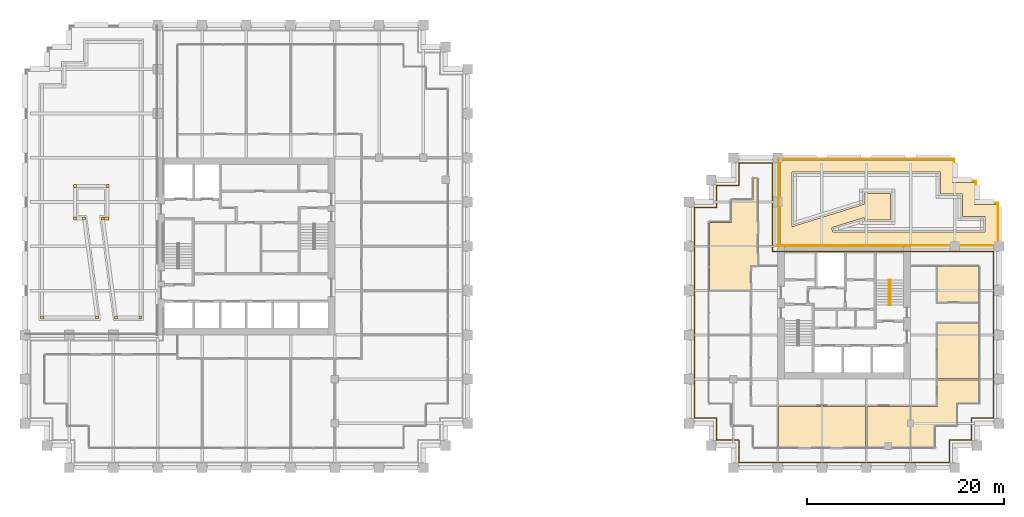
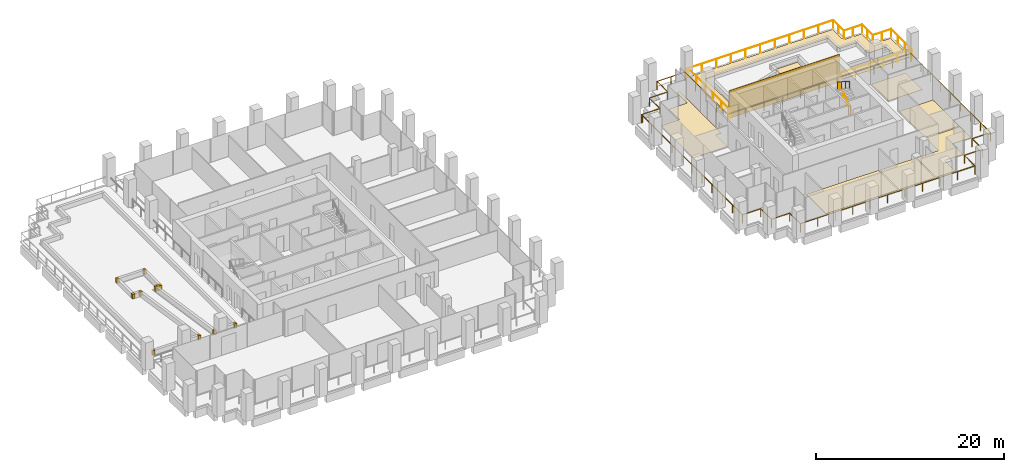
# One storey, part 51 of 52: 18 coverings, 6 railings.
"""IFC4 building model written with IfcOpenShell, lengths in metres."""

from ifc_helpers import new_model, si_unit, direction, frame, origin, origin_2d, place, context, subcontext, project, spatial, polyline, rectangle, circle, outline, extrude, source, transform, mapped, material, layer, layer_set, type_object, element, save


model = new_model("IFC4")

# Units and contexts
model_context = context("Model", 3, precision=1e-05, world=origin(), true_north=direction((0.0, 1.0)))
body_context = subcontext(model_context, "Body", "Model", "MODEL_VIEW")
ifc_project = project(units=[si_unit("LENGTHUNIT", "METRE"), si_unit("AREAUNIT", "SQUARE_METRE"), si_unit("VOLUMEUNIT", "CUBIC_METRE"), si_unit("PLANEANGLEUNIT", "RADIAN"), si_unit("MASSUNIT", "GRAM", prefix="KILO")], contexts=[model_context])

# Site, building, storey
site_placement = place(None, origin())
site = spatial("IfcSite", under=ifc_project, at=site_placement, CompositionType="ELEMENT")
building_placement = place(site_placement, origin())
building = spatial("IfcBuilding", under=site, at=building_placement, Name="Altepetl Exchange Towers", CompositionType="ELEMENT")
storey_placement = place(building_placement, frame((0.0, 0.0, 92.0)))
storey = spatial("IfcBuildingStorey", under=building, at=storey_placement, Name="L22", CompositionType="ELEMENT", Elevation=92.0)

# Coverings
ifc_material_1 = material(Name="Carpet tile")
ifc_layer_1 = layer(ifc_material_1, 0.02001953125)
ifc_layer_set_1 = layer_set([ifc_layer_1], Name="Carpet tile")
covering_type_1 = type_object("IfcCoveringType", Name="Carpet tile floor", PredefinedType="FLOORING", material=ifc_layer_set_1)
covering_1_placement = place(storey_placement, origin())
element("IfcCovering", 1, at=covering_1_placement, inside=storey, type_object=covering_type_1, Name="Huddle room floor finish B22.05", PredefinedType="FLOORING", context=body_context, shape_type="SweptSolid", body=[
    extrude(outline(polyline([(112.5625, 33.237548828125), (112.5625, 29.0625), (116.9375, 29.0625), (116.9375, 33.237548828125), (112.5625, 33.237548828125)])), origin(), (0.0, 0.0, 1.0), 0.02001953125),
])
covering_2_placement = place(storey_placement, origin())
element("IfcCovering", 2, at=covering_2_placement, inside=storey, type_object=covering_type_1, Name="Open office floor finish B22.06", PredefinedType="FLOORING", context=body_context, shape_type="SweptSolid", body=[
    extrude(outline(polyline([(117.0625, 33.237548828125), (117.0625, 29.0625), (119.4375, 29.0625), (119.4375, 31.3125), (121.6875, 31.3125), (121.6875, 33.5625), (123.9375, 33.5625), (123.9375, 35.9375), (119.762451171875, 35.9375), (119.762451171875, 33.237548828125), (117.0625, 33.237548828125)])), origin(), (0.0, 0.0, 1.0), 0.02001953125),
])
covering_3_placement = place(storey_placement, origin())
element("IfcCovering", 3, at=covering_3_placement, inside=storey, type_object=covering_type_1, Name="Research office floor finish B22.07", PredefinedType="FLOORING", context=body_context, shape_type="SweptSolid", body=[
    extrude(outline(polyline([(119.762451171875, 41.637451171875), (119.762451171875, 36.0625), (123.9375, 36.0625), (123.9375, 41.637451171875), (119.762451171875, 41.637451171875)])), origin(), (0.0, 0.0, 1.0), 0.02001953125),
])
covering_4_placement = place(storey_placement, origin())
element("IfcCovering", 4, at=covering_4_placement, inside=storey, type_object=covering_type_1, Name="Pantry floor finish B22.08", PredefinedType="FLOORING", context=body_context, shape_type="SweptSolid", body=[
    extrude(outline(polyline([(119.762451171875, 47.4375), (119.762451171875, 43.862548828125), (123.9375, 43.862548828125), (123.9375, 47.4375), (119.762451171875, 47.4375)])), origin(), (0.0, 0.0, 1.0), 0.02001953125),
])
covering_5_placement = place(storey_placement, origin())
element("IfcCovering", 5, at=covering_5_placement, inside=storey, type_object=covering_type_1, Name="Research office floor finish B22.09", PredefinedType="FLOORING", context=body_context, shape_type="SweptSolid", body=[
    extrude(outline(polyline([(101.4375, 56.4375), (101.0625, 56.4375), (101.0625, 54.1875), (98.8125, 54.1875), (98.8125, 51.9375), (96.5625, 51.9375), (96.5625, 45.0625), (100.737548828125, 45.0625), (100.737548828125, 47.5625), (101.4375, 47.5625), (101.4375, 56.4375)])), origin(), (0.0, 0.0, 1.0), 0.02001953125),
])
ifc_material_2 = material(Name="Concrete C30/37", Category="concrete")
ifc_layer_2 = layer(ifc_material_2, 0.300048828125)
ifc_layer_set_2 = layer_set([ifc_layer_2], Name="Concrete C30/37")
covering_type_2 = type_object("IfcCoveringType", Name="Planter corner block 300 concrete", PredefinedType="CLADDING", material=ifc_layer_set_2)
covering_6_placement = place(storey_placement, origin())
element("IfcCovering", 6, at=covering_6_placement, inside=storey, type_object=covering_type_2, Name="Planter corner block", PredefinedType="CLADDING", context=body_context, shape_type="SweptSolid", body=[
    extrude(outline(polyline([(28.89990234375, 42.39990234375), (28.60009765625, 42.39990234375), (28.60009765625, 42.10009765625), (28.89990234375, 42.10009765625), (28.89990234375, 42.39990234375)])), origin(), (0.0, 0.0, 1.0), 0.60009765625),
])
covering_7_placement = place(storey_placement, origin())
element("IfcCovering", 7, at=covering_7_placement, inside=storey, type_object=covering_type_2, Name="Planter corner block", PredefinedType="CLADDING", context=body_context, shape_type="SweptSolid", body=[
    extrude(outline(polyline([(34.186279296875, 42.381591796875), (34.186279296875, 42.10009765625), (34.50732421875, 42.10009765625), (34.465576171875, 42.418212890625), (34.186279296875, 42.381591796875)])), origin(), (0.0, 0.0, 1.0), 0.60009765625),
])
covering_8_placement = place(storey_placement, origin())
element("IfcCovering", 8, at=covering_8_placement, inside=storey, type_object=covering_type_2, Name="Planter corner block", PredefinedType="CLADDING", context=body_context, shape_type="SweptSolid", body=[
    extrude(outline(polyline([(33.177001953125, 52.220703125), (33.199951171875, 52.04541015625), (33.140380859375, 52.5), (32.858642578125, 52.5), (32.858642578125, 52.199951171875), (32.877197265625, 52.199951171875), (32.879638671875, 52.181640625), (33.177001953125, 52.220703125)])), origin(), (0.0, 0.0, 1.0), 0.60009765625),
])
covering_9_placement = place(storey_placement, origin())
element("IfcCovering", 9, at=covering_9_placement, inside=storey, type_object=covering_type_2, Name="Planter corner block", PredefinedType="CLADDING", context=body_context, shape_type="SweptSolid", body=[
    extrude(outline(polyline([(31.949951171875, 52.5), (31.949951171875, 52.199951171875), (32.25, 52.199951171875), (32.25, 52.5), (31.949951171875, 52.5)])), origin(), (0.0, 0.0, 1.0), 0.60009765625),
])
covering_10_placement = place(storey_placement, origin())
element("IfcCovering", 10, at=covering_10_placement, inside=storey, type_object=covering_type_2, Name="Planter corner block", PredefinedType="CLADDING", context=body_context, shape_type="SweptSolid", body=[
    extrude(outline(polyline([(32.25, 55.800048828125), (31.949951171875, 55.800048828125), (31.949951171875, 55.5), (32.25, 55.5), (32.25, 55.800048828125)])), origin(), (0.0, 0.0, 1.0), 0.60009765625),
])
covering_11_placement = place(storey_placement, origin())
element("IfcCovering", 11, at=covering_11_placement, inside=storey, type_object=covering_type_2, Name="Planter corner block", PredefinedType="CLADDING", context=body_context, shape_type="SweptSolid", body=[
    extrude(outline(polyline([(35.550048828125, 55.5), (35.550048828125, 55.800048828125), (35.25, 55.800048828125), (35.25, 55.5), (35.550048828125, 55.5)])), origin(), (0.0, 0.0, 1.0), 0.60009765625),
])
covering_12_placement = place(storey_placement, origin())
element("IfcCovering", 12, at=covering_12_placement, inside=storey, type_object=covering_type_2, Name="Planter corner block", PredefinedType="CLADDING", context=body_context, shape_type="SweptSolid", body=[
    extrude(outline(polyline([(35.09619140625, 52.199951171875), (35.550048828125, 52.199951171875), (35.550048828125, 52.5), (35.0732421875, 52.5), (35.055419921875, 52.45458984375), (35.046875, 52.420166015625), (35.041748046875, 52.38525390625), (35.0400390625, 52.35009765625), (35.041748046875, 52.314697265625), (35.046875, 52.27978515625), (35.055419921875, 52.24560546875), (35.065673828125, 52.21728515625), (35.093505859375, 52.220703125), (35.09619140625, 52.199951171875)])), origin(), (0.0, 0.0, 1.0), 0.60009765625),
])
covering_13_placement = place(storey_placement, origin())
element("IfcCovering", 13, at=covering_13_placement, inside=storey, type_object=covering_type_2, Name="Planter corner block", PredefinedType="CLADDING", context=body_context, shape_type="SweptSolid", body=[
    extrude(outline(polyline([(35.0732421875, 52.5), (34.754150390625, 52.5), (34.819091796875, 52.006103515625), (34.7958984375, 52.181640625), (35.065673828125, 52.21728515625), (35.055419921875, 52.24560546875), (35.055419921875, 52.24560546875), (35.046875, 52.27978515625), (35.046875, 52.27978515625), (35.041748046875, 52.314697265625), (35.041748046875, 52.314697265625), (35.0400390625, 52.35009765625), (35.0400390625, 52.35009765625), (35.041748046875, 52.38525390625), (35.041748046875, 52.38525390625), (35.046875, 52.420166015625), (35.046875, 52.420166015625), (35.055419921875, 52.45458984375), (35.055419921875, 52.45458984375), (35.0732421875, 52.5)])), origin(), (0.0, 0.0, 1.0), 0.60009765625),
])
covering_14_placement = place(storey_placement, origin())
element("IfcCovering", 14, at=covering_14_placement, inside=storey, type_object=covering_type_2, Name="Planter corner block", PredefinedType="CLADDING", context=body_context, shape_type="SweptSolid", body=[
    extrude(outline(polyline([(36.3818359375, 42.418212890625), (36.08447265625, 42.379150390625), (36.12109375, 42.10009765625), (36.402587890625, 42.10009765625), (36.402587890625, 42.39990234375), (36.38427734375, 42.39990234375), (36.35888671875, 42.593994140625), (36.3818359375, 42.418212890625)])), origin(), (0.0, 0.0, 1.0), 0.60009765625),
])
covering_15_placement = place(storey_placement, origin())
element("IfcCovering", 15, at=covering_15_placement, inside=storey, type_object=covering_type_2, Name="Planter corner block", PredefinedType="CLADDING", context=body_context, shape_type="SweptSolid", body=[
    extrude(outline(polyline([(38.60009765625, 42.39990234375), (38.60009765625, 42.10009765625), (38.89990234375, 42.10009765625), (38.89990234375, 42.39990234375), (38.60009765625, 42.39990234375)])), origin(), (0.0, 0.0, 1.0), 0.60009765625),
])
ifc_material_3 = material(Name="Cantera stone", Category="masonry")
ifc_layer_3 = layer(ifc_material_3, 0.030029296875)
ifc_layer_set_3 = layer_set([ifc_layer_3], Name="Cantera stone")
covering_type_3 = type_object("IfcCoveringType", Name="Polished stone floor", PredefinedType="FLOORING", material=ifc_layer_set_3)
covering_16_placement = place(storey_placement, origin())
element("IfcCovering", 16, at=covering_16_placement, inside=storey, type_object=covering_type_3, Name="Staff club floor finish B22.04", PredefinedType="FLOORING", context=body_context, shape_type="SweptSolid", body=[
    extrude(outline(polyline([(103.5625, 33.237548828125), (103.5625, 29.0625), (112.4375, 29.0625), (112.4375, 33.237548828125), (103.5625, 33.237548828125)])), origin(), (0.0, 0.0, 1.0), 0.030029296875),
])
ifc_material_4 = material(Name="Cantera limestone cladding", Category="masonry")
ifc_layer_4 = layer(ifc_material_4, 0.0400390625)
ifc_layer_set_4 = layer_set([ifc_layer_4], Name="Cantera limestone cladding")
covering_type_4 = type_object("IfcCoveringType", Name="Stone panel 40 cantera", PredefinedType="CLADDING", material=ifc_layer_set_4)
covering_17_placement = place(storey_placement, frame((110.25, 49.52001953125, 0.0), z_axis=(0.0, 0.0, 1.0), x_axis=(-1.0, 0.0, 0.0)))
element("IfcCovering", 17, at=covering_17_placement, inside=storey, type_object=covering_type_4, Name="Stone cladding panel", PredefinedType="CLADDING", context=body_context, shape_type="SweptSolid", body=[
    extrude(rectangle(XDim=13.5, YDim=0.0400390625, at=origin_2d()), origin(), (0.0, 0.0, 1.0), 3.60009765625),
])
ifc_material_5 = material(Name="Cantera limestone paving", Category="masonry")
ifc_layer_5 = layer(ifc_material_5, 0.0400390625)
ifc_layer_set_5 = layer_set([ifc_layer_5], Name="Cantera limestone paving")
covering_type_5 = type_object("IfcCoveringType", Name="Stone terrace paving 40", PredefinedType="FLOORING", material=ifc_layer_set_5)
covering_18_placement = place(storey_placement, origin())
element("IfcCovering", 18, at=covering_18_placement, inside=storey, type_object=covering_type_5, Name="Terrace paving", PredefinedType="FLOORING", context=body_context, shape_type="SweptSolid", body=[
    extrude(outline(polyline([(123.5, 56.0), (121.25, 56.0), (121.25, 58.25), (103.75, 58.25), (103.75, 49.75), (125.75, 49.75), (125.75, 53.75), (123.5, 53.75), (123.5, 56.0)]), holes=[polyline([(109.01171875, 51.400390625), (109.080810546875, 50.949951171875), (124.550048828125, 50.949951171875), (124.550048828125, 52.550048828125), (122.300048828125, 52.550048828125), (122.300048828125, 54.800048828125), (120.050048828125, 54.800048828125), (120.050048828125, 57.050048828125), (104.949951171875, 57.050048828125), (104.949951171875, 51.49169921875), (112.27490234375, 53.78369140625), (112.27490234375, 54.875), (114.97509765625, 54.875), (114.97509765625, 52.175048828125), (112.27490234375, 52.175048828125), (112.27490234375, 52.42138671875), (109.01171875, 51.400390625)])]), origin(), (0.0, 0.0, 1.0), 0.0400390625),
])

# Railings
ifc_material_6 = material(Name="Steel S355", Category="steel")
railing_type_1 = type_object("IfcRailingType", Name="Guard 1100 steel posts and rail", PredefinedType="GUARDRAIL", material=ifc_material_6)
shared_shape_1 = source(origin(), body_context, "Body", "SweptSolid", [
    extrude(circle(Radius=0.02099609375, at=origin_2d()), origin(), (0.0, 0.0, 1.0), 1.052001953125),
])
railing_1_placement = place(storey_placement, frame((95.050048828125, 53.449951171875, 0.0)))
element("IfcRailing", 19, at=railing_1_placement, inside=storey, type_object=railing_type_1, Name="Loggia guard", PredefinedType="GUARDRAIL", context=body_context, shape_type="SweptSolid", body=[
    extrude(circle(Radius=0.02392578125, at=origin_2d()), frame((0.0, 0.0, 1.076171875), z_axis=(0.0, -1.0, 0.0), x_axis=(1.0, 0.0, 0.0)), (0.0, 0.0, 1.0), 21.39990234375),
    extrude(circle(Radius=0.02392578125, at=origin_2d()), frame((0.0, -21.39990234375, 1.076171875), z_axis=(1.0, 0.0, 0.0), x_axis=(0.0, 1.0, 0.0)), (0.0, 0.0, 1.0), 2.25),
    extrude(circle(Radius=0.02392578125, at=origin_2d()), frame((2.25, -21.39990234375, 1.076171875), z_axis=(0.0, -1.0, 0.0), x_axis=(1.0, 0.0, 0.0)), (0.0, 0.0, 1.0), 2.25),
    extrude(circle(Radius=0.02392578125, at=origin_2d()), frame((2.25, -23.64990234375, 1.076171875), z_axis=(1.0, 0.0, 0.0), x_axis=(0.0, 1.0, 0.0)), (0.0, 0.0, 1.0), 2.25),
    extrude(circle(Radius=0.02392578125, at=origin_2d()), frame((4.5, -23.64990234375, 1.076171875), z_axis=(0.0, -1.0, 0.0), x_axis=(1.0, 0.0, 0.0)), (0.0, 0.0, 1.0), 2.25),
    extrude(circle(Radius=0.02392578125, at=origin_2d()), frame((4.5, -25.89990234375, 1.076171875), z_axis=(1.0, 0.0, 0.0), x_axis=(0.0, 1.0, 0.0)), (0.0, 0.0, 1.0), 21.39990234375),
    extrude(circle(Radius=0.02392578125, at=origin_2d()), frame((25.89990234375, -25.89990234375, 1.076171875), z_axis=(0.0, 1.0, 0.0), x_axis=(-1.0, 0.0, 0.0)), (0.0, 0.0, 1.0), 2.25),
    extrude(circle(Radius=0.02392578125, at=origin_2d()), frame((25.89990234375, -23.64990234375, 1.076171875), z_axis=(1.0, 0.0, 0.0), x_axis=(0.0, 1.0, 0.0)), (0.0, 0.0, 1.0), 2.25),
    extrude(circle(Radius=0.02392578125, at=origin_2d()), frame((28.14990234375, -23.64990234375, 1.076171875), z_axis=(0.0, 1.0, 0.0), x_axis=(-1.0, 0.0, 0.0)), (0.0, 0.0, 1.0), 2.25),
    extrude(circle(Radius=0.02392578125, at=origin_2d()), frame((28.14990234375, -21.39990234375, 1.076171875), z_axis=(1.0, 0.0, 0.0), x_axis=(0.0, 1.0, 0.0)), (0.0, 0.0, 1.0), 2.25),
    extrude(circle(Radius=0.02392578125, at=origin_2d()), frame((30.39990234375, -21.39990234375, 1.076171875), z_axis=(0.0, 1.0, 0.0), x_axis=(-1.0, 0.0, 0.0)), (0.0, 0.0, 1.0), 16.89990234375),
    extrude(circle(Radius=0.02392578125, at=origin_2d()), frame((30.39990234375, -4.5, 1.076171875), z_axis=(-1.0, 0.0, 0.0), x_axis=(0.0, -1.0, 0.0)), (0.0, 0.0, 1.0), 22.5),
    extrude(circle(Radius=0.02392578125, at=origin_2d()), frame((7.89990234375, -4.5, 1.076171875), z_axis=(0.0, 1.0, 0.0), x_axis=(-1.0, 0.0, 0.0)), (0.0, 0.0, 1.0), 9.0),
    extrude(circle(Radius=0.02392578125, at=origin_2d()), frame((7.89990234375, 4.5, 1.076171875), z_axis=(-1.0, 0.0, 0.0), x_axis=(0.0, -1.0, 0.0)), (0.0, 0.0, 1.0), 3.39990234375),
    extrude(circle(Radius=0.02392578125, at=origin_2d()), frame((4.5, 4.5, 1.076171875), z_axis=(0.0, -1.0, 0.0), x_axis=(1.0, 0.0, 0.0)), (0.0, 0.0, 1.0), 2.25),
    extrude(circle(Radius=0.02392578125, at=origin_2d()), frame((4.5, 2.25, 1.076171875), z_axis=(-1.0, 0.0, 0.0), x_axis=(0.0, -1.0, 0.0)), (0.0, 0.0, 1.0), 2.25),
    extrude(circle(Radius=0.02392578125, at=origin_2d()), frame((2.25, 2.25, 1.076171875), z_axis=(0.0, -1.0, 0.0), x_axis=(1.0, 0.0, 0.0)), (0.0, 0.0, 1.0), 2.25),
    extrude(circle(Radius=0.02392578125, at=origin_2d()), frame((2.25, 0.0, 1.076171875), z_axis=(-1.0, 0.0, 0.0), x_axis=(0.0, -1.0, 0.0)), (0.0, 0.0, 1.0), 2.150146484375),
    mapped(shared_shape_1, transform((0.0, 0.0, 0.0))),
    mapped(shared_shape_1, transform((0.0, -2.139892578125, 0.0))),
    mapped(shared_shape_1, transform((0.0, -4.280029296875, 0.0))),
    mapped(shared_shape_1, transform((0.0, -6.419921875, 0.0))),
    mapped(shared_shape_1, transform((0.0, -8.56005859375, 0.0))),
    mapped(shared_shape_1, transform((0.0, -10.699951171875, 0.0))),
    mapped(shared_shape_1, transform((0.0, -12.83984375, 0.0))),
    mapped(shared_shape_1, transform((0.0, -14.97998046875, 0.0))),
    mapped(shared_shape_1, transform((0.0, -17.119873046875, 0.0))),
    mapped(shared_shape_1, transform((0.0, -19.260009765625, 0.0))),
    mapped(shared_shape_1, transform((0.0, -21.39990234375, 0.0))),
    mapped(shared_shape_1, transform((2.25, -21.39990234375, 0.0))),
    mapped(shared_shape_1, transform((2.25, -23.64990234375, 0.0))),
    mapped(shared_shape_1, transform((4.5, -23.64990234375, 0.0))),
    mapped(shared_shape_1, transform((4.5, -25.89990234375, 0.0))),
    mapped(shared_shape_1, transform((6.639892578125, -25.89990234375, 0.0))),
    mapped(shared_shape_1, transform((8.780029296875, -25.89990234375, 0.0))),
    mapped(shared_shape_1, transform((10.919921875, -25.89990234375, 0.0))),
    mapped(shared_shape_1, transform((13.06005859375, -25.89990234375, 0.0))),
    mapped(shared_shape_1, transform((15.199951171875, -25.89990234375, 0.0))),
    mapped(shared_shape_1, transform((17.33984375, -25.89990234375, 0.0))),
    mapped(shared_shape_1, transform((19.47998046875, -25.89990234375, 0.0))),
    mapped(shared_shape_1, transform((21.619873046875, -25.89990234375, 0.0))),
    mapped(shared_shape_1, transform((23.760009765625, -25.89990234375, 0.0))),
    mapped(shared_shape_1, transform((25.89990234375, -25.89990234375, 0.0))),
    mapped(shared_shape_1, transform((25.89990234375, -23.64990234375, 0.0))),
    mapped(shared_shape_1, transform((28.14990234375, -23.64990234375, 0.0))),
    mapped(shared_shape_1, transform((28.14990234375, -21.39990234375, 0.0))),
    mapped(shared_shape_1, transform((30.39990234375, -21.39990234375, 0.0))),
    mapped(shared_shape_1, transform((30.39990234375, -19.287353515625, 0.0))),
    mapped(shared_shape_1, transform((30.39990234375, -17.1748046875, 0.0))),
    mapped(shared_shape_1, transform((30.39990234375, -15.0625, 0.0))),
    mapped(shared_shape_1, transform((30.39990234375, -12.949951171875, 0.0))),
    mapped(shared_shape_1, transform((30.39990234375, -10.83740234375, 0.0))),
    mapped(shared_shape_1, transform((30.39990234375, -8.72509765625, 0.0))),
    mapped(shared_shape_1, transform((30.39990234375, -6.612548828125, 0.0))),
    mapped(shared_shape_1, transform((30.39990234375, -4.5, 0.0))),
    mapped(shared_shape_1, transform((28.14990234375, -4.5, 0.0))),
    mapped(shared_shape_1, transform((25.89990234375, -4.5, 0.0))),
    mapped(shared_shape_1, transform((23.64990234375, -4.5, 0.0))),
    mapped(shared_shape_1, transform((21.39990234375, -4.5, 0.0))),
    mapped(shared_shape_1, transform((19.14990234375, -4.5, 0.0))),
    mapped(shared_shape_1, transform((16.89990234375, -4.5, 0.0))),
    mapped(shared_shape_1, transform((14.64990234375, -4.5, 0.0))),
    mapped(shared_shape_1, transform((12.39990234375, -4.5, 0.0))),
    mapped(shared_shape_1, transform((10.14990234375, -4.5, 0.0))),
    mapped(shared_shape_1, transform((7.89990234375, -4.5, 0.0))),
    mapped(shared_shape_1, transform((7.89990234375, -2.25, 0.0))),
    mapped(shared_shape_1, transform((7.89990234375, 0.0, 0.0))),
    mapped(shared_shape_1, transform((7.89990234375, 2.25, 0.0))),
    mapped(shared_shape_1, transform((7.89990234375, 4.5, 0.0))),
    mapped(shared_shape_1, transform((6.199951171875, 4.5, 0.0))),
    mapped(shared_shape_1, transform((4.5, 4.5, 0.0))),
    mapped(shared_shape_1, transform((4.5, 2.25, 0.0))),
    mapped(shared_shape_1, transform((2.25, 2.25, 0.0))),
    mapped(shared_shape_1, transform((2.25, 0.0, 0.0))),
    mapped(shared_shape_1, transform((0.099853515625, 0.0, 0.0))),
])
railing_2_placement = place(storey_placement, frame((125.89990234375, 49.5, 0.0)))
element("IfcRailing", 20, at=railing_2_placement, inside=storey, type_object=railing_type_1, Name="Terrace guard", PredefinedType="GUARDRAIL", context=body_context, shape_type="SweptSolid", body=[
    extrude(circle(Radius=0.02392578125, at=origin_2d()), frame((0.0, 0.0, 1.076171875), z_axis=(0.0, 1.0, 0.0), x_axis=(-1.0, 0.0, 0.0)), (0.0, 0.0, 1.0), 4.39990234375),
    extrude(circle(Radius=0.02392578125, at=origin_2d()), frame((0.0, 4.39990234375, 1.076171875), z_axis=(-1.0, 0.0, 0.0), x_axis=(0.0, -1.0, 0.0)), (0.0, 0.0, 1.0), 2.25),
    extrude(circle(Radius=0.02392578125, at=origin_2d()), frame((-2.25, 4.39990234375, 1.076171875), z_axis=(0.0, 1.0, 0.0), x_axis=(-1.0, 0.0, 0.0)), (0.0, 0.0, 1.0), 2.25),
    extrude(circle(Radius=0.02392578125, at=origin_2d()), frame((-2.25, 6.64990234375, 1.076171875), z_axis=(-1.0, 0.0, 0.0), x_axis=(0.0, -1.0, 0.0)), (0.0, 0.0, 1.0), 2.25),
    extrude(circle(Radius=0.02392578125, at=origin_2d()), frame((-4.5, 6.64990234375, 1.076171875), z_axis=(0.0, 1.0, 0.0), x_axis=(-1.0, 0.0, 0.0)), (0.0, 0.0, 1.0), 2.25),
    extrude(circle(Radius=0.02392578125, at=origin_2d()), frame((-4.5, 8.89990234375, 1.076171875), z_axis=(-1.0, 0.0, 0.0), x_axis=(0.0, -1.0, 0.0)), (0.0, 0.0, 1.0), 17.89990234375),
    mapped(shared_shape_1, transform((0.0, 0.0, 0.0))),
    mapped(shared_shape_1, transform((0.0, 1.466552734375, 0.0))),
    mapped(shared_shape_1, transform((0.0, 2.933349609375, 0.0))),
    mapped(shared_shape_1, transform((0.0, 4.39990234375, 0.0))),
    mapped(shared_shape_1, transform((-1.125, 4.39990234375, 0.0))),
    mapped(shared_shape_1, transform((-2.25, 4.39990234375, 0.0))),
    mapped(shared_shape_1, transform((-2.25, 5.52490234375, 0.0))),
    mapped(shared_shape_1, transform((-2.25, 6.64990234375, 0.0))),
    mapped(shared_shape_1, transform((-3.375, 6.64990234375, 0.0))),
    mapped(shared_shape_1, transform((-4.5, 6.64990234375, 0.0))),
    mapped(shared_shape_1, transform((-4.5, 7.77490234375, 0.0))),
    mapped(shared_shape_1, transform((-4.5, 8.89990234375, 0.0))),
    mapped(shared_shape_1, transform((-6.2900390625, 8.89990234375, 0.0))),
    mapped(shared_shape_1, transform((-8.080078125, 8.89990234375, 0.0))),
    mapped(shared_shape_1, transform((-9.869873046875, 8.89990234375, 0.0))),
    mapped(shared_shape_1, transform((-11.659912109375, 8.89990234375, 0.0))),
    mapped(shared_shape_1, transform((-13.449951171875, 8.89990234375, 0.0))),
    mapped(shared_shape_1, transform((-15.239990234375, 8.89990234375, 0.0))),
    mapped(shared_shape_1, transform((-17.030029296875, 8.89990234375, 0.0))),
    mapped(shared_shape_1, transform((-18.81982421875, 8.89990234375, 0.0))),
    mapped(shared_shape_1, transform((-20.60986328125, 8.89990234375, 0.0))),
    mapped(shared_shape_1, transform((-22.39990234375, 8.89990234375, 0.0))),
])
railing_3_placement = place(storey_placement, frame((103.60009765625, 58.39990234375, 0.0)))
element("IfcRailing", 21, at=railing_3_placement, inside=storey, type_object=railing_type_1, Name="Terrace guard", PredefinedType="GUARDRAIL", context=body_context, shape_type="SweptSolid", body=[
    extrude(circle(Radius=0.02392578125, at=origin_2d()), frame((0.0, 0.0, 1.076171875), z_axis=(0.0, -1.0, 0.0), x_axis=(1.0, 0.0, 0.0)), (0.0, 0.0, 1.0), 8.89990234375),
    mapped(shared_shape_1, transform((0.0, 0.0, 0.0))),
    mapped(shared_shape_1, transform((0.0, -1.780029296875, 0.0))),
    mapped(shared_shape_1, transform((0.0, -3.56005859375, 0.0))),
    mapped(shared_shape_1, transform((0.0, -5.33984375, 0.0))),
    mapped(shared_shape_1, transform((0.0, -7.119873046875, 0.0))),
    mapped(shared_shape_1, transform((0.0, -8.89990234375, 0.0))),
])
railing_4_placement = place(storey_placement, frame((103.5, 49.60009765625, 0.0)))
element("IfcRailing", 22, at=railing_4_placement, inside=storey, type_object=railing_type_1, Name="Terrace guard", PredefinedType="GUARDRAIL", context=body_context, shape_type="SweptSolid", body=[
    extrude(circle(Radius=0.02392578125, at=origin_2d()), frame((0.0, 0.0, 1.076171875), z_axis=(1.0, 0.0, 0.0), x_axis=(0.0, 1.0, 0.0)), (0.0, 0.0, 1.0), 22.39990234375),
    mapped(shared_shape_1, transform((0.0, 0.0, 0.0))),
    mapped(shared_shape_1, transform((1.72314453125, 0.0, 0.0))),
    mapped(shared_shape_1, transform((3.446044921875, 0.0, 0.0))),
    mapped(shared_shape_1, transform((5.169189453125, 0.0, 0.0))),
    mapped(shared_shape_1, transform((6.892333984375, 0.0, 0.0))),
    mapped(shared_shape_1, transform((8.615234375, 0.0, 0.0))),
    mapped(shared_shape_1, transform((10.33837890625, 0.0, 0.0))),
    mapped(shared_shape_1, transform((12.0615234375, 0.0, 0.0))),
    mapped(shared_shape_1, transform((13.78466796875, 0.0, 0.0))),
    mapped(shared_shape_1, transform((15.507568359375, 0.0, 0.0))),
    mapped(shared_shape_1, transform((17.230712890625, 0.0, 0.0))),
    mapped(shared_shape_1, transform((18.953857421875, 0.0, 0.0))),
    mapped(shared_shape_1, transform((20.6767578125, 0.0, 0.0))),
    mapped(shared_shape_1, transform((22.39990234375, 0.0, 0.0))),
])
ifc_material_7 = material(Name="Steel", Category="steel")
railing_type_2 = type_object("IfcRailingType", Name="Stair handrail 50 steel tube", PredefinedType="HANDRAIL", material=ifc_material_7)
shared_shape_2 = source(origin(), body_context, "Body", "SweptSolid", [
    extrude(circle(Radius=0.02099609375, at=origin_2d()), origin(), (0.0, 0.0, 1.0), 0.851806640625),
])
railing_5_placement = place(storey_placement, frame((114.97998046875, 43.550048828125, 0.179931640625)))
element("IfcRailing", 23, at=railing_5_placement, inside=storey, type_object=railing_type_2, Name="Stair handrail", PredefinedType="HANDRAIL", context=body_context, shape_type="SweptSolid", body=[
    extrude(circle(Radius=0.02392578125, at=origin_2d()), frame((0.0, 0.0, 0.8759765625), z_axis=(0.0, 0.841162588446, 0.540782303519), x_axis=(-1.0, 0.0, 0.0)), (0.0, 0.0, 1.0), 2.995849609375),
    mapped(shared_shape_2, transform((0.0, 0.0, 0.0))),
    mapped(shared_shape_2, transform((0.0, 0.840087890625, 0.5400390625))),
    mapped(shared_shape_2, transform((0.0, 1.679931640625, 1.080078125))),
    mapped(shared_shape_2, transform((0.0, 2.52001953125, 1.6201171875))),
])
railing_6_placement = place(storey_placement, frame((114.820068359375, 46.070068359375, 1.97998046875)))
element("IfcRailing", 24, at=railing_6_placement, inside=storey, type_object=railing_type_2, Name="Stair handrail", PredefinedType="HANDRAIL", context=body_context, shape_type="SweptSolid", body=[
    extrude(circle(Radius=0.02392578125, at=origin_2d()), frame((0.0, 0.0, 0.8759765625), z_axis=(0.0, -0.841162588446, 0.540782303519), x_axis=(1.0, 0.0, 0.0)), (0.0, 0.0, 1.0), 2.995849609375),
    mapped(shared_shape_2, transform((0.0, 0.0, 0.0))),
    mapped(shared_shape_2, transform((0.0, -0.840087890625, 0.5400390625))),
    mapped(shared_shape_2, transform((0.0, -1.679931640625, 1.080078125))),
    mapped(shared_shape_2, transform((0.0, -2.52001953125, 1.6201171875))),
])

save(model, "model.ifc")
